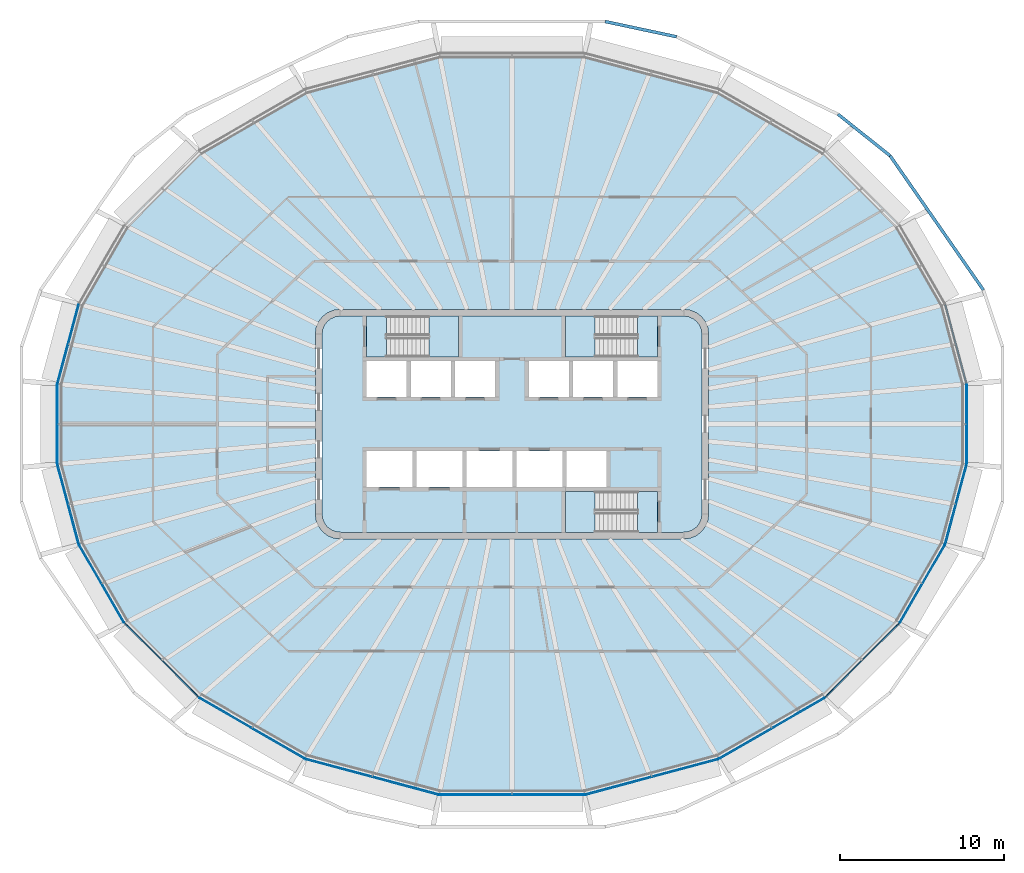
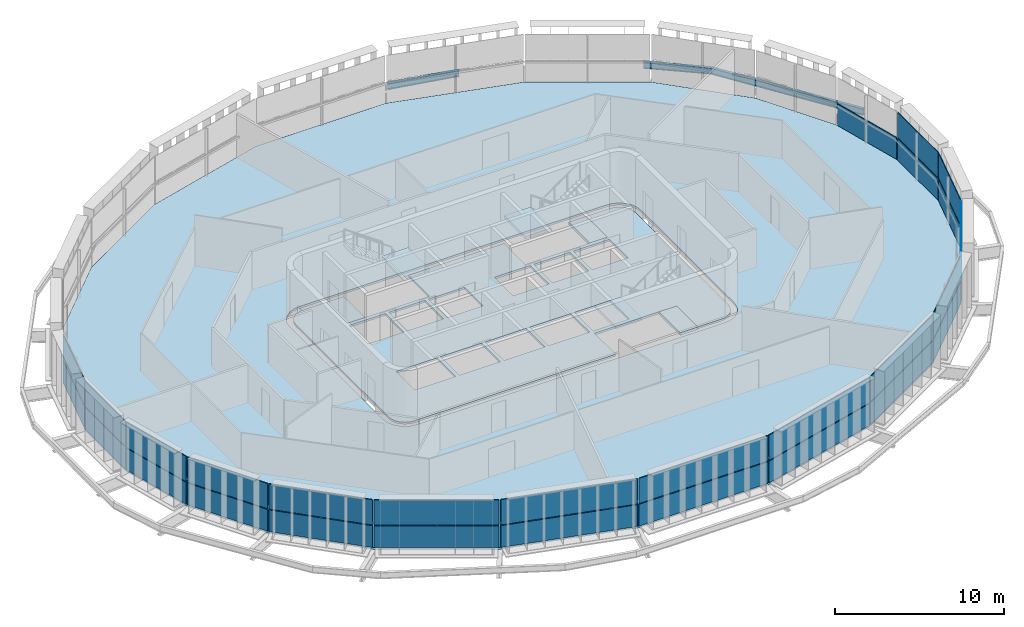
# One storey, part 8 of 18: 29 plates, 8 slabs, 3 beams, 18 elements without a shape of their own.
"""IFC4 building model written with IfcOpenShell, lengths in metres."""

from ifc_helpers import new_model, si_unit, direction, frame, origin, origin_2d, place, context, subcontext, project, spatial, polyline, i_section, outline, extrude, material, layer, layer_set, material_profile, profile_set, type_object, element, aggregate, save


model = new_model("IFC4")

# Units and contexts
model_context = context("Model", 3, precision=1e-05, world=origin(), true_north=direction((0.0, 1.0)))
body_context = subcontext(model_context, "Body", "Model", "MODEL_VIEW")
ifc_project = project(units=[si_unit("LENGTHUNIT", "METRE"), si_unit("AREAUNIT", "SQUARE_METRE"), si_unit("VOLUMEUNIT", "CUBIC_METRE"), si_unit("PLANEANGLEUNIT", "RADIAN"), si_unit("MASSUNIT", "GRAM", prefix="KILO")], contexts=[model_context])

# Site, building, storey
site_placement = place(None, origin())
site = spatial("IfcSite", under=ifc_project, at=site_placement, CompositionType="ELEMENT")
building_placement = place(site_placement, origin())
building = spatial("IfcBuilding", under=site, at=building_placement, Name="Sahrelin Media Tower", CompositionType="ELEMENT")
storey_placement = place(building_placement, frame((0.0, 0.0, 295.0)))
storey = spatial("IfcBuildingStorey", under=building, at=storey_placement, Name="L65", CompositionType="ELEMENT", Elevation=295.0)

# Beams
ifc_material_1 = material(Name="Steel S355", Category="steel")
ifc_material_profile = material_profile(ifc_material_1, i_section(OverallWidth=0.1904296875, OverallDepth=0.45703125, WebThickness=0.009033203125, FlangeThickness=0.014404296875, FilletRadius=0.01025390625, at=origin_2d()), Name="UB 457x191x74")
ifc_profile_set = profile_set([ifc_material_profile], Name="Steel S355")
beam_type = type_object("IfcBeamType", Name="Tie chord TC5", PredefinedType="BEAM", material=ifc_profile_set)
beam_1_placement = place(storey_placement, frame((28.772216796875, 8.1904296875, -0.37841796875), z_axis=(-0.570635637769, 0.821203366352, 0.0), x_axis=(-0.821203366352, -0.570635637769, 0.0)))
element("IfcBeam", 1, at=beam_1_placement, inside=storey, type_object=beam_type, Name="Tie chord L65-02", PredefinedType="BEAM", context=body_context, shape_type="SweptSolid", body=[
    extrude(i_section(OverallWidth=0.1904296875, OverallDepth=0.45703125, WebThickness=0.009033203125, FlangeThickness=0.014404296875, FilletRadius=0.01025390625, at=origin_2d()), origin(), (0.0, 0.0, 1.0), 9.976318359375),
])
beam_2_placement = place(storey_placement, frame((23.079345703125, 16.383056640625, -0.37841796875), z_axis=(-0.782272559635, 0.62293630689, 0.0), x_axis=(-0.62293630689, -0.782272559635, 0.0)))
element("IfcBeam", 2, at=beam_2_placement, inside=storey, type_object=beam_type, Name="Tie chord L65-03", PredefinedType="BEAM", context=body_context, shape_type="SweptSolid", body=[
    extrude(i_section(OverallWidth=0.1904296875, OverallDepth=0.45703125, WebThickness=0.009033203125, FlangeThickness=0.014404296875, FilletRadius=0.01025390625, at=origin_2d()), origin(), (0.0, 0.0, 1.0), 4.066650390625),
])
beam_3_placement = place(storey_placement, frame((10.0380859375, 23.646240234375, -0.37841796875), z_axis=(-0.977982969165, 0.208684719191, 0.0), x_axis=(-0.208684719191, -0.977982969165, 0.0)))
element("IfcBeam", 3, at=beam_3_placement, inside=storey, type_object=beam_type, Name="Tie chord L65-05", PredefinedType="BEAM", context=body_context, shape_type="SweptSolid", body=[
    extrude(i_section(OverallWidth=0.1904296875, OverallDepth=0.45703125, WebThickness=0.009033203125, FlangeThickness=0.014404296875, FilletRadius=0.01025390625, at=origin_2d()), origin(), (0.0, 0.0, 1.0), 4.443359375),
])

# Slabs
ifc_material_2 = material(Name="Concrete C40/50", Category="concrete")
ifc_layer_1 = layer(ifc_material_2, 0.14990234375)
ifc_layer_set_1 = layer_set([ifc_layer_1], Name="Composite floor slab 150")
slab_type_1 = type_object("IfcSlabType", Name="Composite floor slab 150", PredefinedType="FLOOR", material=ifc_layer_set_1)
placement_1 = place(storey_placement, frame((0.0, 0.0, -0.14990234375)))
element("IfcSlab", 4, at=placement_1, inside=storey, type_object=slab_type_1, Name="Floor slab L65", PredefinedType="FLOOR", context=body_context, shape_type="SweptSolid", body=[
    extrude(outline(polyline([(27.736572265625, -2.441650390625), (27.736572265625, 2.441650390625), (26.428955078125, 7.32177734375), (23.64599609375, 12.1416015625), (19.110107421875, 16.677734375), (12.623046875, 20.423095703125), (4.4404296875, 22.615478515625), (-4.4404296875, 22.615478515625), (-12.623046875, 20.423095703125), (-19.110107421875, 16.677734375), (-23.64599609375, 12.1416015625), (-26.428955078125, 7.32177734375), (-27.736572265625, 2.441650390625), (-27.736572265625, -2.441650390625), (-26.428955078125, -7.32177734375), (-23.64599609375, -12.1416015625), (-19.110107421875, -16.677734375), (-12.623046875, -20.423095703125), (-4.4404296875, -22.615478515625), (4.4404296875, -22.615478515625), (12.623046875, -20.423095703125), (19.110107421875, -16.677734375), (23.64599609375, -12.1416015625), (26.428955078125, -7.32177734375), (27.736572265625, -2.441650390625)]), holes=[polyline([(11.948974609375, 5.88818359375), (12.0, 5.5), (12.0, -5.5), (11.948974609375, -5.88818359375), (11.799072265625, -6.25), (11.560791015625, -6.560791015625), (11.25, -6.799072265625), (10.88818359375, -6.948974609375), (10.5, -7.0), (-10.5, -7.0), (-10.88818359375, -6.948974609375), (-11.25, -6.799072265625), (-11.560791015625, -6.560791015625), (-11.799072265625, -6.25), (-11.948974609375, -5.88818359375), (-12.0, -5.5), (-12.0, 5.5), (-11.948974609375, 5.88818359375), (-11.799072265625, 6.25), (-11.560791015625, 6.560791015625), (-11.25, 6.799072265625), (-10.88818359375, 6.948974609375), (-10.5, 7.0), (10.5, 7.0), (10.88818359375, 6.948974609375), (11.25, 6.799072265625), (11.560791015625, 6.560791015625), (11.799072265625, 6.25), (11.948974609375, 5.88818359375)])]), origin(), (0.0, 0.0, 1.0), 0.14990234375),
])
ifc_layer_2 = layer(ifc_material_2, 0.14990234375)
ifc_layer_set_2 = layer_set([ifc_layer_2], Name="Core floor slab 150")
slab_type_2 = type_object("IfcSlabType", Name="Core floor slab 150", PredefinedType="FLOOR", material=ifc_layer_set_2)
element("IfcSlab", 5, at=placement_1, inside=storey, type_object=slab_type_2, Name="Core floor", PredefinedType="FLOOR", context=body_context, shape_type="SweptSolid", body=[
    extrude(outline(polyline([(-11.60009765625, -5.473876953125), (-11.55908203125, -5.78369140625), (-11.44970703125, -6.04833984375), (-11.275390625, -6.275390625), (-11.04833984375, -6.44970703125), (-10.78369140625, -6.55908203125), (-10.473876953125, -6.60009765625), (3.27490234375, -6.60009765625), (3.27490234375, -4.10009765625), (8.875, -4.10009765625), (8.875, -6.60009765625), (10.473876953125, -6.60009765625), (10.78369140625, -6.55908203125), (11.04833984375, -6.44970703125), (11.275390625, -6.275390625), (11.44970703125, -6.04833984375), (11.55908203125, -5.78369140625), (11.60009765625, -5.473876953125), (11.60009765625, 5.473876953125), (11.55908203125, 5.78369140625), (11.44970703125, 6.04833984375), (11.275390625, 6.275390625), (11.04833984375, 6.44970703125), (10.78369140625, 6.55908203125), (10.473876953125, 6.60009765625), (8.875, 6.60009765625), (8.875, 4.10009765625), (3.27490234375, 4.10009765625), (3.27490234375, 6.60009765625), (-3.27490234375, 6.60009765625), (-3.27490234375, 4.10009765625), (-8.875, 4.10009765625), (-8.875, 6.60009765625), (-10.473876953125, 6.60009765625), (-10.78369140625, 6.55908203125), (-11.04833984375, 6.44970703125), (-11.275390625, 6.275390625), (-11.44970703125, 6.04833984375), (-11.55908203125, 5.78369140625), (-11.60009765625, 5.473876953125), (-11.60009765625, -5.473876953125)]), holes=[polyline([(-8.875, 3.85009765625), (-8.875, 1.64990234375), (-6.425048828125, 1.64990234375), (-6.425048828125, 3.85009765625), (-8.875, 3.85009765625)]), polyline([(-3.72509765625, 3.85009765625), (-6.175048828125, 3.85009765625), (-6.175048828125, 1.64990234375), (-3.72509765625, 1.64990234375), (-3.72509765625, 3.85009765625)]), polyline([(-1.02490234375, 1.64990234375), (-1.02490234375, 3.85009765625), (-3.47509765625, 3.85009765625), (-3.47509765625, 1.64990234375), (-1.02490234375, 1.64990234375)]), polyline([(1.02490234375, 1.64990234375), (3.47509765625, 1.64990234375), (3.47509765625, 3.85009765625), (1.02490234375, 3.85009765625), (1.02490234375, 1.64990234375)]), polyline([(3.72509765625, 3.85009765625), (3.72509765625, 1.64990234375), (6.175048828125, 1.64990234375), (6.175048828125, 3.85009765625), (3.72509765625, 3.85009765625)]), polyline([(8.875, 3.85009765625), (6.425048828125, 3.85009765625), (6.425048828125, 1.64990234375), (8.875, 1.64990234375), (8.875, 3.85009765625)]), polyline([(-6.074951171875, -3.85009765625), (-6.074951171875, -1.64990234375), (-8.875, -1.64990234375), (-8.875, -3.85009765625), (-6.074951171875, -3.85009765625)]), polyline([(-5.824951171875, -3.85009765625), (-3.02490234375, -3.85009765625), (-3.02490234375, -1.64990234375), (-5.824951171875, -1.64990234375), (-5.824951171875, -3.85009765625)]), polyline([(-2.77490234375, -1.64990234375), (-2.77490234375, -3.85009765625), (0.02490234375, -3.85009765625), (0.02490234375, -1.64990234375), (-2.77490234375, -1.64990234375)]), polyline([(3.074951171875, -1.64990234375), (0.27490234375, -1.64990234375), (0.27490234375, -3.85009765625), (3.074951171875, -3.85009765625), (3.074951171875, -1.64990234375)]), polyline([(5.77490234375, -3.85009765625), (5.77490234375, -1.64990234375), (3.324951171875, -1.64990234375), (3.324951171875, -3.85009765625), (5.77490234375, -3.85009765625)])]), origin(), (0.0, 0.0, 1.0), 0.14990234375),
])

# Curtain wall, plate
ifc_material_3 = material(Name="Champagne anodised aluminium 6063-T6", Category="aluminium")
ifc_layer_3 = layer(ifc_material_3, 0.14990234375)
ifc_layer_set_3 = layer_set([ifc_layer_3], Name="Tower ribbon curtain wall")
curtain_wall_type = type_object("IfcCurtainWallType", Name="Tower ribbon curtain wall", PredefinedType="NOTDEFINED", material=ifc_layer_set_3)
curtain_wall_1_placement = place(storey_placement, frame((27.756591796875, 0.0, 0.0), z_axis=(0.0, 0.0, 1.0), x_axis=(1.0, 0.0, 0.0)))
curtain_wall_1 = element("IfcCurtainWall", 6, at=curtain_wall_1_placement, inside=storey, type_object=curtain_wall_type, Name="L65:CW:L65-00", PredefinedType="NOTDEFINED")
ifc_material_4 = material(Name="Clear low-iron glazing", Category="glass")
ifc_layer_4 = layer(ifc_material_4, 0.048095703125)
ifc_layer_set_4 = layer_set([ifc_layer_4], Name="Glazing panel 48 mm CW1C")
plate_type_1 = type_object("IfcPlateType", Name="Glazing panel 48 mm CW1C", PredefinedType="CURTAIN_PANEL", material=ifc_layer_set_4)
plate_1_placement = place(storey_placement, frame((27.776611328125, -2.394287109375, 1.6298828125), z_axis=(1.0, 0.0, 0.0), x_axis=(0.0, 1.0, 0.0)))
plate_1 = element("IfcPlate", 7, at=plate_1_placement, type_object=plate_type_1, Name="L65:CWP2:L65-00", PredefinedType="CURTAIN_PANEL", context=body_context, shape_type="SweptSolid", body=[
    extrude(outline(polyline([(0.0, 0.0), (4.78857421875, 0.0), (4.78857421875, 1.818603515625), (0.0, 1.818603515625), (0.0, 0.0)])), origin(), (0.0, 0.0, -1.0), 0.048095703125),
])

curtain_wall_2_placement = place(storey_placement, frame((-27.10205078125, 4.886962890625, 0.0), z_axis=(0.0, 0.0, 1.0), x_axis=(1.0, 0.0, 0.0)))
curtain_wall_2 = element("IfcCurtainWall", 8, at=curtain_wall_2_placement, inside=storey, type_object=curtain_wall_type, Name="L65:CW:L65-11", PredefinedType="NOTDEFINED")
plate_2_placement = place(storey_placement, frame((-26.47998046875, 7.286376953125, 1.6298828125), z_axis=(-0.965932664655, 0.258793522625, 0.0), x_axis=(-0.258793522625, -0.965932664655, 0.0)))
plate_2 = element("IfcPlate", 9, at=plate_2_placement, type_object=plate_type_1, Name="L65:CWP2:L65-11", PredefinedType="CURTAIN_PANEL", context=body_context, shape_type="SweptSolid", body=[
    extrude(outline(polyline([(0.0, 0.0), (4.95751953125, 0.0), (4.95751953125, 1.818603515625), (0.0, 1.818603515625), (0.0, 0.0)])), origin(), (0.0, 0.0, -1.0), 0.048095703125),
])

curtain_wall_3_placement = place(storey_placement, frame((-27.756591796875, 0.0, 0.0), z_axis=(0.0, 0.0, 1.0), x_axis=(1.0, 0.0, 0.0)))
curtain_wall_3 = element("IfcCurtainWall", 10, at=curtain_wall_3_placement, inside=storey, type_object=curtain_wall_type, Name="L65:CW:L65-12", PredefinedType="NOTDEFINED")
plate_3_placement = place(storey_placement, frame((-27.776611328125, 2.394287109375, 1.6298828125), z_axis=(-1.0, 0.0, 0.0), x_axis=(0.0, -1.0, 0.0)))
plate_3 = element("IfcPlate", 11, at=plate_3_placement, type_object=plate_type_1, Name="L65:CWP2:L65-12", PredefinedType="CURTAIN_PANEL", context=body_context, shape_type="SweptSolid", body=[
    extrude(outline(polyline([(0.0, 0.0), (4.78857421875, 0.0), (4.78857421875, 1.818603515625), (0.0, 1.818603515625), (0.0, 0.0)])), origin(), (0.0, 0.0, -1.0), 0.048095703125),
])

curtain_wall_4_placement = place(storey_placement, frame((-27.10205078125, -4.88671875, 0.0), z_axis=(0.0, 0.0, 1.0), x_axis=(1.0, 0.0, 0.0)))
curtain_wall_4 = element("IfcCurtainWall", 12, at=curtain_wall_4_placement, inside=storey, type_object=curtain_wall_type, Name="L65:CW:L65-13", PredefinedType="NOTDEFINED")
plate_4_placement = place(storey_placement, frame((-27.762939453125, -2.497802734375, 1.6298828125), z_axis=(-0.965932664655, -0.258793522625, 0.0), x_axis=(0.258793522625, -0.965932664655, 0.0)))
plate_4 = element("IfcPlate", 13, at=plate_4_placement, type_object=plate_type_1, Name="L65:CWP2:L65-13", PredefinedType="CURTAIN_PANEL", context=body_context, shape_type="SweptSolid", body=[
    extrude(outline(polyline([(0.0, 0.0), (4.95751953125, 0.0), (4.95751953125, 1.818603515625), (0.0, 1.818603515625), (0.0, 0.0)])), origin(), (0.0, 0.0, -1.0), 0.048095703125),
])

curtain_wall_5_placement = place(storey_placement, frame((-25.0546875, -9.74169921875, 0.0), z_axis=(0.0, 0.0, 1.0), x_axis=(1.0, 0.0, 0.0)))
curtain_wall_5 = element("IfcCurtainWall", 14, at=curtain_wall_5_placement, inside=storey, type_object=curtain_wall_type, Name="L65:CW:L65-14", PredefinedType="NOTDEFINED")
plate_5_placement = place(storey_placement, frame((-26.43994140625, -7.3828125, 1.6298828125), z_axis=(-0.866007226043, -0.500031483449, 0.0), x_axis=(0.500031483449, -0.866007226043, 0.0)))
plate_5 = element("IfcPlate", 15, at=plate_5_placement, type_object=plate_type_1, Name="L65:CWP2:L65-14", PredefinedType="CURTAIN_PANEL", context=body_context, shape_type="SweptSolid", body=[
    extrude(outline(polyline([(0.0, 0.0), (5.470947265625, 0.0), (5.470947265625, 1.818603515625), (0.0, 1.818603515625), (0.0, 0.0)])), origin(), (0.0, 0.0, -1.0), 0.048095703125),
])

curtain_wall_6_placement = place(storey_placement, frame((-21.392333984375, -14.423828125, 0.0), z_axis=(0.0, 0.0, 1.0), x_axis=(1.0, 0.0, 0.0)))
curtain_wall_6 = element("IfcCurtainWall", 16, at=curtain_wall_6_placement, inside=storey, type_object=curtain_wall_type, Name="L65:CW:L65-15", PredefinedType="NOTDEFINED")
plate_6_placement = place(storey_placement, frame((-23.640869140625, -12.20361328125, 1.6298828125), z_axis=(-0.707106781187, -0.707106781187, 0.0), x_axis=(0.707106781187, -0.707106781187, 0.0)))
plate_6 = element("IfcPlate", 17, at=plate_6_placement, type_object=plate_type_1, Name="L65:CWP2:L65-15", PredefinedType="CURTAIN_PANEL", context=body_context, shape_type="SweptSolid", body=[
    extrude(outline(polyline([(0.0, 0.0), (6.320068359375, 0.0), (6.320068359375, 1.818603515625), (0.0, 1.818603515625), (0.0, 0.0)])), origin(), (0.0, 0.0, -1.0), 0.048095703125),
])

curtain_wall_7_placement = place(storey_placement, frame((-15.87646484375, -18.567626953125, 0.0), z_axis=(0.0, 0.0, 1.0), x_axis=(1.0, 0.0, 0.0)))
curtain_wall_7 = element("IfcCurtainWall", 18, at=curtain_wall_7_placement, inside=storey, type_object=curtain_wall_type, Name="L65:CW:L65-16", PredefinedType="NOTDEFINED")
plate_7_placement = place(storey_placement, frame((-19.089111328125, -16.736083984375, 1.6298828125), z_axis=(-0.500005339912, -0.866022320763, 0.0), x_axis=(0.866022320763, -0.500005339912, 0.0)))
plate_7 = element("IfcPlate", 19, at=plate_7_placement, type_object=plate_type_1, Name="L65:CWP2:L65-16", PredefinedType="CURTAIN_PANEL", context=body_context, shape_type="SweptSolid", body=[
    extrude(outline(polyline([(0.0, 0.0), (7.39599609375, 0.0), (7.39599609375, 1.818603515625), (0.0, 1.818603515625), (0.0, 0.0)])), origin(), (0.0, 0.0, -1.0), 0.048095703125),
])

curtain_wall_8_placement = place(storey_placement, frame((-8.536865234375, -21.53857421875, 0.0), z_axis=(0.0, 0.0, 1.0), x_axis=(1.0, 0.0, 0.0)))
curtain_wall_8 = element("IfcCurtainWall", 20, at=curtain_wall_8_placement, inside=storey, type_object=curtain_wall_type, Name="L65:CW:L65-17", PredefinedType="NOTDEFINED")
plate_8_placement = place(storey_placement, frame((-12.587646484375, -20.47412109375, 1.6298828125), z_axis=(-0.258789017993, -0.965933871529, 0.0), x_axis=(0.965933871529, -0.258789017993, 0.0)))
plate_8 = element("IfcPlate", 21, at=plate_8_placement, type_object=plate_type_1, Name="L65:CWP2:L65-17", PredefinedType="CURTAIN_PANEL", context=body_context, shape_type="SweptSolid", body=[
    extrude(outline(polyline([(0.0, 0.0), (8.37646484375, 0.0), (8.37646484375, 1.818603515625), (0.0, 1.818603515625), (0.0, 0.0)])), origin(), (0.0, 0.0, -1.0), 0.048095703125),
])

curtain_wall_9_placement = place(storey_placement, frame((0.0, -22.635498046875, 0.0), z_axis=(0.0, 0.0, 1.0), x_axis=(1.0, 0.0, 0.0)))
curtain_wall_9 = element("IfcCurtainWall", 22, at=curtain_wall_9_placement, inside=storey, type_object=curtain_wall_type, Name="L65:CW:L65-18", PredefinedType="NOTDEFINED")
plate_9_placement = place(storey_placement, frame((-4.39306640625, -22.655517578125, 1.6298828125), z_axis=(0.0, -1.0, 0.0), x_axis=(1.0, 0.0, 0.0)))
plate_9 = element("IfcPlate", 23, at=plate_9_placement, type_object=plate_type_1, Name="L65:CWP2:L65-18", PredefinedType="CURTAIN_PANEL", context=body_context, shape_type="SweptSolid", body=[
    extrude(outline(polyline([(0.0, 0.0), (8.7861328125, 0.0), (8.7861328125, 1.818603515625), (0.0, 1.818603515625), (0.0, 0.0)])), origin(), (0.0, 0.0, -1.0), 0.048095703125),
])

curtain_wall_10_placement = place(storey_placement, frame((8.536865234375, -21.53857421875, 0.0), z_axis=(0.0, 0.0, 1.0), x_axis=(1.0, 0.0, 0.0)))
curtain_wall_10 = element("IfcCurtainWall", 24, at=curtain_wall_10_placement, inside=storey, type_object=curtain_wall_type, Name="L65:CW:L65-19", PredefinedType="NOTDEFINED")
plate_10_placement = place(storey_placement, frame((4.49658203125, -22.641845703125, 1.6298828125), z_axis=(0.258789017993, -0.965933871529, 0.0), x_axis=(0.965933871529, 0.258789017993, 0.0)))
plate_10 = element("IfcPlate", 25, at=plate_10_placement, type_object=plate_type_1, Name="L65:CWP2:L65-19", PredefinedType="CURTAIN_PANEL", context=body_context, shape_type="SweptSolid", body=[
    extrude(outline(polyline([(0.0, 0.0), (8.37646484375, 0.0), (8.37646484375, 1.818603515625), (0.0, 1.818603515625), (0.0, 0.0)])), origin(), (0.0, 0.0, -1.0), 0.048095703125),
])

curtain_wall_11_placement = place(storey_placement, frame((15.876708984375, -18.567626953125, 0.0), z_axis=(0.0, 0.0, 1.0), x_axis=(1.0, 0.0, 0.0)))
curtain_wall_11 = element("IfcCurtainWall", 26, at=curtain_wall_11_placement, inside=storey, type_object=curtain_wall_type, Name="L65:CW:L65-20", PredefinedType="NOTDEFINED")
plate_11_placement = place(storey_placement, frame((12.68408203125, -20.43408203125, 1.6298828125), z_axis=(0.500005339912, -0.866022320763, 0.0), x_axis=(0.866022320763, 0.500005339912, 0.0)))
plate_11 = element("IfcPlate", 27, at=plate_11_placement, type_object=plate_type_1, Name="L65:CWP2:L65-20", PredefinedType="CURTAIN_PANEL", context=body_context, shape_type="SweptSolid", body=[
    extrude(outline(polyline([(0.0, 0.0), (7.39599609375, 0.0), (7.39599609375, 1.818603515625), (0.0, 1.818603515625), (0.0, 0.0)])), origin(), (0.0, 0.0, -1.0), 0.048095703125),
])

curtain_wall_12_placement = place(storey_placement, frame((21.39208984375, -14.423828125, 0.0), z_axis=(0.0, 0.0, 1.0), x_axis=(1.0, 0.0, 0.0)))
curtain_wall_12 = element("IfcCurtainWall", 28, at=curtain_wall_12_placement, inside=storey, type_object=curtain_wall_type, Name="L65:CW:L65-21", PredefinedType="NOTDEFINED")
plate_12_placement = place(storey_placement, frame((19.171875, -16.672607421875, 1.6298828125), z_axis=(0.707106781187, -0.707106781187, 0.0), x_axis=(0.707106781187, 0.707106781187, 0.0)))
plate_12 = element("IfcPlate", 29, at=plate_12_placement, type_object=plate_type_1, Name="L65:CWP2:L65-21", PredefinedType="CURTAIN_PANEL", context=body_context, shape_type="SweptSolid", body=[
    extrude(outline(polyline([(0.0, 0.0), (6.320068359375, 0.0), (6.320068359375, 1.818603515625), (0.0, 1.818603515625), (0.0, 0.0)])), origin(), (0.0, 0.0, -1.0), 0.048095703125),
])

curtain_wall_13_placement = place(storey_placement, frame((25.054931640625, -9.74169921875, 0.0), z_axis=(0.0, 0.0, 1.0), x_axis=(1.0, 0.0, 0.0)))
curtain_wall_13 = element("IfcCurtainWall", 30, at=curtain_wall_13_placement, inside=storey, type_object=curtain_wall_type, Name="L65:CW:L65-22", PredefinedType="NOTDEFINED")
plate_13_placement = place(storey_placement, frame((23.704345703125, -12.12060546875, 1.6298828125), z_axis=(0.866007226043, -0.500031483449, 0.0), x_axis=(0.500031483449, 0.866007226043, 0.0)))
plate_13 = element("IfcPlate", 31, at=plate_13_placement, type_object=plate_type_1, Name="L65:CWP2:L65-22", PredefinedType="CURTAIN_PANEL", context=body_context, shape_type="SweptSolid", body=[
    extrude(outline(polyline([(0.0, 0.0), (5.470947265625, 0.0), (5.470947265625, 1.818603515625), (0.0, 1.818603515625), (0.0, 0.0)])), origin(), (0.0, 0.0, -1.0), 0.048095703125),
])

curtain_wall_14_placement = place(storey_placement, frame((27.10205078125, -4.886962890625, 0.0), z_axis=(0.0, 0.0, 1.0), x_axis=(1.0, 0.0, 0.0)))
curtain_wall_14 = element("IfcCurtainWall", 32, at=curtain_wall_14_placement, inside=storey, type_object=curtain_wall_type, Name="L65:CW:L65-23", PredefinedType="NOTDEFINED")
plate_14_placement = place(storey_placement, frame((26.47998046875, -7.286376953125, 1.6298828125), z_axis=(0.965932664655, -0.258793522625, 0.0), x_axis=(0.258793522625, 0.965932664655, 0.0)))
plate_14 = element("IfcPlate", 33, at=plate_14_placement, type_object=plate_type_1, Name="L65:CWP2:L65-23", PredefinedType="CURTAIN_PANEL", context=body_context, shape_type="SweptSolid", body=[
    extrude(outline(polyline([(0.0, 0.0), (4.95751953125, 0.0), (4.95751953125, 1.818603515625), (0.0, 1.818603515625), (0.0, 0.0)])), origin(), (0.0, 0.0, -1.0), 0.048095703125),
])

# Plate
ifc_material_5 = material(Name="Insulated spandrel panel")
ifc_layer_5 = layer(ifc_material_5, 0.06005859375)
ifc_layer_set_5 = layer_set([ifc_layer_5], Name="Spandrel panel 60 mm CW1")
plate_type_2 = type_object("IfcPlateType", Name="Spandrel panel 60 mm CW1", PredefinedType="SHEET", material=ifc_layer_set_5)
plate_15_placement = place(storey_placement, frame((27.776611328125, -2.394287109375, 0.0), z_axis=(1.0, 0.0, 0.0), x_axis=(0.0, 1.0, 0.0)))
plate_15 = element("IfcPlate", 34, at=plate_15_placement, type_object=plate_type_2, Name="L65:CWP1:L65-00", PredefinedType="SHEET", context=body_context, shape_type="SweptSolid", body=[
    extrude(outline(polyline([(0.0, 0.0), (4.78857421875, 0.0), (4.78857421875, 1.570068359375), (0.0, 1.570068359375), (0.0, 0.0)])), origin(), (0.0, 0.0, -1.0), 0.06005859375),
])

aggregate(curtain_wall_1, [plate_15, plate_1])

# Curtain wall, plate
curtain_wall_15_placement = place(storey_placement, frame((27.10205078125, 4.88671875, 0.0), z_axis=(0.0, 0.0, 1.0), x_axis=(1.0, 0.0, 0.0)))
curtain_wall_15 = element("IfcCurtainWall", 35, at=curtain_wall_15_placement, inside=storey, type_object=curtain_wall_type, Name="L65:CW:L65-01", PredefinedType="NOTDEFINED")
plate_16_placement = place(storey_placement, frame((27.762939453125, 2.497802734375, 0.0), z_axis=(0.965932664655, 0.258793522625, 0.0), x_axis=(-0.258793522625, 0.965932664655, 0.0)))
plate_16 = element("IfcPlate", 36, at=plate_16_placement, type_object=plate_type_2, Name="L65:CWP1:L65-01", PredefinedType="SHEET", context=body_context, shape_type="SweptSolid", body=[
    extrude(outline(polyline([(0.0, 0.0), (4.95751953125, 0.0), (4.95751953125, 1.570068359375), (0.0, 1.570068359375), (0.0, 0.0)])), origin(), (0.0, 0.0, -1.0), 0.06005859375),
])
aggregate(curtain_wall_15, [plate_16])

# Plate
plate_17_placement = place(storey_placement, frame((-26.47998046875, 7.286376953125, 0.0), z_axis=(-0.965932664655, 0.258793522625, 0.0), x_axis=(-0.258793522625, -0.965932664655, 0.0)))
plate_17 = element("IfcPlate", 37, at=plate_17_placement, type_object=plate_type_2, Name="L65:CWP1:L65-11", PredefinedType="SHEET", context=body_context, shape_type="SweptSolid", body=[
    extrude(outline(polyline([(0.0, 0.0), (4.95751953125, 0.0), (4.95751953125, 1.570068359375), (0.0, 1.570068359375), (0.0, 0.0)])), origin(), (0.0, 0.0, -1.0), 0.06005859375),
])

aggregate(curtain_wall_2, [plate_17, plate_2])

plate_18_placement = place(storey_placement, frame((-27.776611328125, 2.394287109375, 0.0), z_axis=(-1.0, 0.0, 0.0), x_axis=(0.0, -1.0, 0.0)))
plate_18 = element("IfcPlate", 38, at=plate_18_placement, type_object=plate_type_2, Name="L65:CWP1:L65-12", PredefinedType="SHEET", context=body_context, shape_type="SweptSolid", body=[
    extrude(outline(polyline([(0.0, 0.0), (4.78857421875, 0.0), (4.78857421875, 1.570068359375), (0.0, 1.570068359375), (0.0, 0.0)])), origin(), (0.0, 0.0, -1.0), 0.06005859375),
])

aggregate(curtain_wall_3, [plate_18, plate_3])

plate_19_placement = place(storey_placement, frame((-27.762939453125, -2.497802734375, 0.0), z_axis=(-0.965932664655, -0.258793522625, 0.0), x_axis=(0.258793522625, -0.965932664655, 0.0)))
plate_19 = element("IfcPlate", 39, at=plate_19_placement, type_object=plate_type_2, Name="L65:CWP1:L65-13", PredefinedType="SHEET", context=body_context, shape_type="SweptSolid", body=[
    extrude(outline(polyline([(0.0, 0.0), (4.95751953125, 0.0), (4.95751953125, 1.570068359375), (0.0, 1.570068359375), (0.0, 0.0)])), origin(), (0.0, 0.0, -1.0), 0.06005859375),
])

aggregate(curtain_wall_4, [plate_19, plate_4])

plate_20_placement = place(storey_placement, frame((-26.43994140625, -7.3828125, 0.0), z_axis=(-0.866007226043, -0.500031483449, 0.0), x_axis=(0.500031483449, -0.866007226043, 0.0)))
plate_20 = element("IfcPlate", 40, at=plate_20_placement, type_object=plate_type_2, Name="L65:CWP1:L65-14", PredefinedType="SHEET", context=body_context, shape_type="SweptSolid", body=[
    extrude(outline(polyline([(0.0, 0.0), (5.470947265625, 0.0), (5.470947265625, 1.570068359375), (0.0, 1.570068359375), (0.0, 0.0)])), origin(), (0.0, 0.0, -1.0), 0.06005859375),
])

aggregate(curtain_wall_5, [plate_20, plate_5])

plate_21_placement = place(storey_placement, frame((-23.640869140625, -12.20361328125, 0.0), z_axis=(-0.707106781187, -0.707106781187, 0.0), x_axis=(0.707106781187, -0.707106781187, 0.0)))
plate_21 = element("IfcPlate", 41, at=plate_21_placement, type_object=plate_type_2, Name="L65:CWP1:L65-15", PredefinedType="SHEET", context=body_context, shape_type="SweptSolid", body=[
    extrude(outline(polyline([(0.0, 0.0), (6.320068359375, 0.0), (6.320068359375, 1.570068359375), (0.0, 1.570068359375), (0.0, 0.0)])), origin(), (0.0, 0.0, -1.0), 0.06005859375),
])

aggregate(curtain_wall_6, [plate_21, plate_6])

plate_22_placement = place(storey_placement, frame((-19.089111328125, -16.736083984375, 0.0), z_axis=(-0.500005339912, -0.866022320763, 0.0), x_axis=(0.866022320763, -0.500005339912, 0.0)))
plate_22 = element("IfcPlate", 42, at=plate_22_placement, type_object=plate_type_2, Name="L65:CWP1:L65-16", PredefinedType="SHEET", context=body_context, shape_type="SweptSolid", body=[
    extrude(outline(polyline([(0.0, 0.0), (7.39599609375, 0.0), (7.39599609375, 1.570068359375), (0.0, 1.570068359375), (0.0, 0.0)])), origin(), (0.0, 0.0, -1.0), 0.06005859375),
])

aggregate(curtain_wall_7, [plate_22, plate_7])

plate_23_placement = place(storey_placement, frame((-12.587646484375, -20.47412109375, 0.0), z_axis=(-0.258789017993, -0.965933871529, 0.0), x_axis=(0.965933871529, -0.258789017993, 0.0)))
plate_23 = element("IfcPlate", 43, at=plate_23_placement, type_object=plate_type_2, Name="L65:CWP1:L65-17", PredefinedType="SHEET", context=body_context, shape_type="SweptSolid", body=[
    extrude(outline(polyline([(0.0, 0.0), (8.37646484375, 0.0), (8.37646484375, 1.570068359375), (0.0, 1.570068359375), (0.0, 0.0)])), origin(), (0.0, 0.0, -1.0), 0.06005859375),
])

aggregate(curtain_wall_8, [plate_23, plate_8])

plate_24_placement = place(storey_placement, frame((-4.39306640625, -22.655517578125, 0.0), z_axis=(0.0, -1.0, 0.0), x_axis=(1.0, 0.0, 0.0)))
plate_24 = element("IfcPlate", 44, at=plate_24_placement, type_object=plate_type_2, Name="L65:CWP1:L65-18", PredefinedType="SHEET", context=body_context, shape_type="SweptSolid", body=[
    extrude(outline(polyline([(0.0, 0.0), (8.7861328125, 0.0), (8.7861328125, 1.570068359375), (0.0, 1.570068359375), (0.0, 0.0)])), origin(), (0.0, 0.0, -1.0), 0.06005859375),
])

aggregate(curtain_wall_9, [plate_24, plate_9])

plate_25_placement = place(storey_placement, frame((4.49658203125, -22.641845703125, 0.0), z_axis=(0.258789017993, -0.965933871529, 0.0), x_axis=(0.965933871529, 0.258789017993, 0.0)))
plate_25 = element("IfcPlate", 45, at=plate_25_placement, type_object=plate_type_2, Name="L65:CWP1:L65-19", PredefinedType="SHEET", context=body_context, shape_type="SweptSolid", body=[
    extrude(outline(polyline([(0.0, 0.0), (8.37646484375, 0.0), (8.37646484375, 1.570068359375), (0.0, 1.570068359375), (0.0, 0.0)])), origin(), (0.0, 0.0, -1.0), 0.06005859375),
])

aggregate(curtain_wall_10, [plate_25, plate_10])

plate_26_placement = place(storey_placement, frame((12.68408203125, -20.43408203125, 0.0), z_axis=(0.500005339912, -0.866022320763, 0.0), x_axis=(0.866022320763, 0.500005339912, 0.0)))
plate_26 = element("IfcPlate", 46, at=plate_26_placement, type_object=plate_type_2, Name="L65:CWP1:L65-20", PredefinedType="SHEET", context=body_context, shape_type="SweptSolid", body=[
    extrude(outline(polyline([(0.0, 0.0), (7.39599609375, 0.0), (7.39599609375, 1.570068359375), (0.0, 1.570068359375), (0.0, 0.0)])), origin(), (0.0, 0.0, -1.0), 0.06005859375),
])

aggregate(curtain_wall_11, [plate_26, plate_11])

plate_27_placement = place(storey_placement, frame((19.171875, -16.672607421875, 0.0), z_axis=(0.707106781187, -0.707106781187, 0.0), x_axis=(0.707106781187, 0.707106781187, 0.0)))
plate_27 = element("IfcPlate", 47, at=plate_27_placement, type_object=plate_type_2, Name="L65:CWP1:L65-21", PredefinedType="SHEET", context=body_context, shape_type="SweptSolid", body=[
    extrude(outline(polyline([(0.0, 0.0), (6.320068359375, 0.0), (6.320068359375, 1.570068359375), (0.0, 1.570068359375), (0.0, 0.0)])), origin(), (0.0, 0.0, -1.0), 0.06005859375),
])

aggregate(curtain_wall_12, [plate_27, plate_12])

plate_28_placement = place(storey_placement, frame((23.704345703125, -12.12060546875, 0.0), z_axis=(0.866007226043, -0.500031483449, 0.0), x_axis=(0.500031483449, 0.866007226043, 0.0)))
plate_28 = element("IfcPlate", 48, at=plate_28_placement, type_object=plate_type_2, Name="L65:CWP1:L65-22", PredefinedType="SHEET", context=body_context, shape_type="SweptSolid", body=[
    extrude(outline(polyline([(0.0, 0.0), (5.470947265625, 0.0), (5.470947265625, 1.570068359375), (0.0, 1.570068359375), (0.0, 0.0)])), origin(), (0.0, 0.0, -1.0), 0.06005859375),
])

aggregate(curtain_wall_13, [plate_28, plate_13])

plate_29_placement = place(storey_placement, frame((26.47998046875, -7.286376953125, 0.0), z_axis=(0.965932664655, -0.258793522625, 0.0), x_axis=(0.258793522625, 0.965932664655, 0.0)))
plate_29 = element("IfcPlate", 49, at=plate_29_placement, type_object=plate_type_2, Name="L65:CWP1:L65-23", PredefinedType="SHEET", context=body_context, shape_type="SweptSolid", body=[
    extrude(outline(polyline([(0.0, 0.0), (4.95751953125, 0.0), (4.95751953125, 1.570068359375), (0.0, 1.570068359375), (0.0, 0.0)])), origin(), (0.0, 0.0, -1.0), 0.06005859375),
])

aggregate(curtain_wall_14, [plate_29, plate_14])

# Stair, slabs
stair_type = type_object("IfcStairType", Name="Exit stair 1200", PredefinedType="HALF_TURN_STAIR", material=ifc_material_2)
placement_2 = place(storey_placement, origin())
stair_1 = element("IfcStair", 50, at=placement_2, inside=storey, type_object=stair_type, Name="L65 Exit stair ST1", PredefinedType="HALF_TURN_STAIR")
ifc_layer_6 = layer(ifc_material_2, 0.199951171875)
ifc_layer_set_6 = layer_set([ifc_layer_6], Name="Stair landing 200")
slab_type_3 = type_object("IfcSlabType", Name="Stair landing 200", PredefinedType="LANDING", material=ifc_layer_set_6)
placement_3 = place(storey_placement, frame((0.0, 0.0, 1.800048828125)))
slab_3 = element("IfcSlab", 51, at=placement_3, type_object=slab_type_3, Name="ST1 landing 1", PredefinedType="LANDING", context=body_context, shape_type="SweptSolid", body=[
    extrude(outline(polyline([(-5.074951171875, 4.10009765625), (-3.27490234375, 4.10009765625), (-3.27490234375, 6.60009765625), (-5.074951171875, 6.60009765625), (-5.074951171875, 4.10009765625)])), origin(), (0.0, 0.0, 1.0), 0.199951171875),
])
placement_4 = place(storey_placement, frame((0.0, 0.0, -0.199951171875)))
slab_4 = element("IfcSlab", 52, at=placement_4, type_object=slab_type_3, Name="ST1 landing 2", PredefinedType="LANDING", context=body_context, shape_type="SweptSolid", body=[
    extrude(outline(polyline([(-8.875, 4.10009765625), (-7.675048828125, 4.10009765625), (-7.675048828125, 6.60009765625), (-8.875, 6.60009765625), (-8.875, 4.10009765625)])), origin(), (0.0, 0.0, 1.0), 0.199951171875),
])
aggregate(stair_1, [slab_3, slab_4])

stair_2 = element("IfcStair", 53, at=placement_2, inside=storey, type_object=stair_type, Name="L65 Exit stair ST3", PredefinedType="HALF_TURN_STAIR")
slab_5 = element("IfcSlab", 54, at=placement_3, type_object=slab_type_3, Name="ST3 landing 1", PredefinedType="LANDING", context=body_context, shape_type="SweptSolid", body=[
    extrude(outline(polyline([(5.074951171875, 6.60009765625), (3.27490234375, 6.60009765625), (3.27490234375, 4.10009765625), (5.074951171875, 4.10009765625), (5.074951171875, 6.60009765625)])), origin(), (0.0, 0.0, 1.0), 0.199951171875),
])
slab_6 = element("IfcSlab", 55, at=placement_4, type_object=slab_type_3, Name="ST3 landing 2", PredefinedType="LANDING", context=body_context, shape_type="SweptSolid", body=[
    extrude(outline(polyline([(8.875, 6.60009765625), (7.675048828125, 6.60009765625), (7.675048828125, 4.10009765625), (8.875, 4.10009765625), (8.875, 6.60009765625)])), origin(), (0.0, 0.0, 1.0), 0.199951171875),
])
aggregate(stair_2, [slab_5, slab_6])

stair_3 = element("IfcStair", 56, at=placement_2, inside=storey, type_object=stair_type, Name="L65 Exit stair ST2", PredefinedType="HALF_TURN_STAIR")
slab_7 = element("IfcSlab", 57, at=placement_3, type_object=slab_type_3, Name="ST2 landing 1", PredefinedType="LANDING", context=body_context, shape_type="SweptSolid", body=[
    extrude(outline(polyline([(5.074951171875, -4.10009765625), (3.27490234375, -4.10009765625), (3.27490234375, -6.60009765625), (5.074951171875, -6.60009765625), (5.074951171875, -4.10009765625)])), origin(), (0.0, 0.0, 1.0), 0.199951171875),
])
slab_8 = element("IfcSlab", 58, at=placement_4, type_object=slab_type_3, Name="ST2 landing 2", PredefinedType="LANDING", context=body_context, shape_type="SweptSolid", body=[
    extrude(outline(polyline([(8.875, -4.10009765625), (7.675048828125, -4.10009765625), (7.675048828125, -6.60009765625), (8.875, -6.60009765625), (8.875, -4.10009765625)])), origin(), (0.0, 0.0, 1.0), 0.199951171875),
])
aggregate(stair_3, [slab_7, slab_8])

save(model, "model.ifc")
